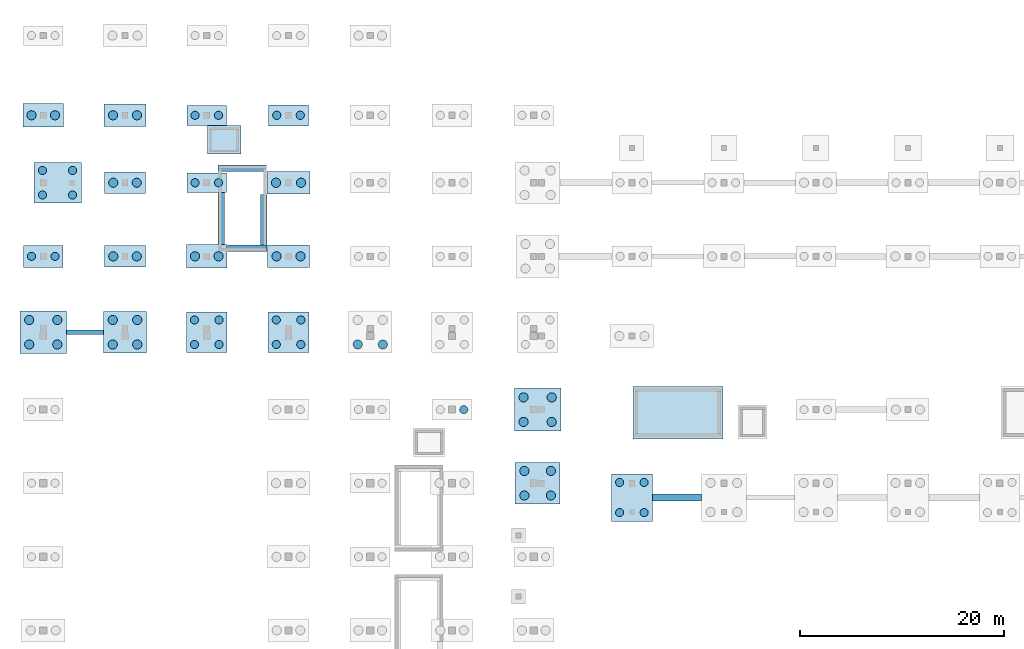
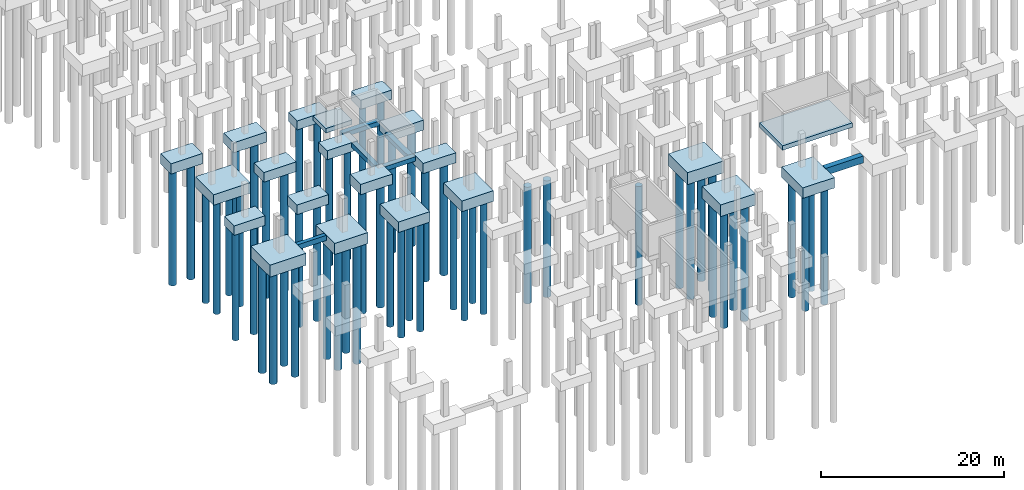
# One storey, part 2 of 36: 57 piles, 27 footings.
"""IFC4 building model written with IfcOpenShell, lengths in metres."""

from ifc_helpers import new_model, si_unit, direction, frame, origin, origin_2d, place, context, subcontext, project, spatial, rectangle, circle, extrude, material, layer, layer_set, material_profile, profile_set, type_object, element, save


model = new_model("IFC4")

# Units and contexts
model_context = context("Model", 3, precision=1e-05, world=origin(), true_north=direction((0.0, 1.0)))
body_context = subcontext(model_context, "Body", "Model", "MODEL_VIEW")
ifc_project = project(units=[si_unit("LENGTHUNIT", "METRE"), si_unit("AREAUNIT", "SQUARE_METRE"), si_unit("VOLUMEUNIT", "CUBIC_METRE"), si_unit("PLANEANGLEUNIT", "RADIAN"), si_unit("MASSUNIT", "GRAM", prefix="KILO")], contexts=[model_context])

# Site, building, storey
site_placement = place(None, origin())
site = spatial("IfcSite", under=ifc_project, at=site_placement, CompositionType="ELEMENT")
building_placement = place(site_placement, origin())
building = spatial("IfcBuilding", under=site, at=building_placement, Name="Chiffa Square Polytechnic", CompositionType="ELEMENT")
storey_placement = place(building_placement, frame((0.0, 0.0, -4.5)))
storey = spatial("IfcBuildingStorey", under=building, at=storey_placement, Name="B1", CompositionType="ELEMENT", Elevation=-4.5)

# Footings
ifc_material = material(Name="Concrete C35/45", Category="concrete")
ifc_layer_1 = layer(ifc_material, 0.68505859375, Name="Concrete C35/45")
ifc_layer_set_1 = layer_set([ifc_layer_1], Name="Concrete C35/45")
footing_type_1 = type_object("IfcFootingType", Name="FTG-BEAM-480X685", PredefinedType="FOOTING_BEAM", material=ifc_layer_set_1)
footing_1_placement = place(storey_placement, frame((4.0869140625, 36.375, -0.685546875), z_axis=(0.0, 0.0, 1.0), x_axis=(1.0, 0.0, 0.0)))
element("IfcFooting", 1, at=footing_1_placement, inside=storey, type_object=footing_type_1, Name="Footing tie beam FB-B1-050", PredefinedType="FOOTING_BEAM", context=body_context, shape_type="SweptSolid", body=[
    extrude(rectangle(XDim=3.614990234375, YDim=0.47998046875, at=origin_2d()), origin(), (0.0, 0.0, 1.0), 0.68505859375),
])
ifc_layer_2 = layer(ifc_material, 0.93505859375, Name="Concrete C35/45")
ifc_layer_set_2 = layer_set([ifc_layer_2], Name="Concrete C35/45")
footing_type_2 = type_object("IfcFootingType", Name="FTG-BEAM-680X935", PredefinedType="FOOTING_BEAM", material=ifc_layer_set_2)
footing_2_placement = place(storey_placement, frame((62.0, 20.199951171875, -0.935546875), z_axis=(0.0, 0.0, 1.0), x_axis=(1.0, 0.0, 0.0)))
element("IfcFooting", 2, at=footing_2_placement, inside=storey, type_object=footing_type_2, Name="Footing tie beam FB-B1-012", PredefinedType="FOOTING_BEAM", context=body_context, shape_type="SweptSolid", body=[
    extrude(rectangle(XDim=4.7900390625, YDim=0.679931640625, at=origin_2d()), origin(), (0.0, 0.0, 1.0), 0.93505859375),
])
ifc_layer_3 = layer(ifc_material, 0.60009765625, Name="Concrete C35/45")
ifc_layer_set_3 = layer_set([ifc_layer_3], Name="Concrete C35/45")
footing_type_3 = type_object("IfcFootingType", Name="FTG-PAD-3300X2800X600", PredefinedType="PAD_FOOTING", material=ifc_layer_set_3)
footing_3_placement = place(storey_placement, frame((17.699951171875, 55.199951171875, -0.60009765625), z_axis=(0.0, 0.0, 1.0), x_axis=(1.0, 0.0, 0.0)))
element("IfcFooting", 3, at=footing_3_placement, inside=storey, type_object=footing_type_3, Name="Lift pit pad footing PFG-PIT-LP-V6A-1", PredefinedType="PAD_FOOTING", context=body_context, shape_type="SweptSolid", body=[
    extrude(rectangle(XDim=3.300048828125, YDim=2.800048828125, at=origin_2d()), origin(), (0.0, 0.0, 1.0), 0.60009765625),
])
ifc_layer_4 = layer(ifc_material, 0.60009765625, Name="Concrete C35/45")
ifc_layer_set_4 = layer_set([ifc_layer_4], Name="Concrete C35/45")
footing_type_4 = type_object("IfcFootingType", Name="FTG-PAD-3860X620X600", PredefinedType="PAD_FOOTING", material=ifc_layer_set_4)
footing_4_placement = place(storey_placement, frame((19.949951171875, 44.580078125, -0.60009765625), z_axis=(0.0, 0.0, 1.0), x_axis=(1.0, 0.0, 0.0)))
element("IfcFooting", 4, at=footing_4_placement, inside=storey, type_object=footing_type_4, Name="Core pad footing PFG-CORE-CORE-V6A-S1", PredefinedType="PAD_FOOTING", context=body_context, shape_type="SweptSolid", body=[
    extrude(rectangle(XDim=3.860107421875, YDim=0.6201171875, at=origin_2d()), origin(), (0.0, 0.0, 1.0), 0.60009765625),
])
ifc_layer_5 = layer(ifc_material, 0.60009765625, Name="Concrete C35/45")
ifc_layer_set_5 = layer_set([ifc_layer_5], Name="Concrete C35/45")
footing_type_5 = type_object("IfcFootingType", Name="FTG-PAD-4735X620X600", PredefinedType="PAD_FOOTING", material=ifc_layer_set_5)
footing_5_placement = place(storey_placement, frame((19.488037109375, 52.419921875, -0.60009765625), z_axis=(0.0, 0.0, 1.0), x_axis=(1.0, 0.0, 0.0)))
element("IfcFooting", 5, at=footing_5_placement, inside=storey, type_object=footing_type_5, Name="Core pad footing PFG-CORE-CORE-V6A-N1", PredefinedType="PAD_FOOTING", context=body_context, shape_type="SweptSolid", body=[
    extrude(rectangle(XDim=4.735107421875, YDim=0.6201171875, at=origin_2d()), origin(), (0.0, 0.0, 1.0), 0.60009765625),
])
ifc_layer_6 = layer(ifc_material, 0.60009765625, Name="Concrete C35/45")
ifc_layer_set_6 = layer_set([ifc_layer_6], Name="Concrete C35/45")
footing_type_6 = type_object("IfcFootingType", Name="FTG-PAD-620X4945X600", PredefinedType="PAD_FOOTING", material=ifc_layer_set_6)
footing_6_placement = place(storey_placement, frame((21.570068359375, 47.382080078125, -0.60009765625), z_axis=(0.0, 0.0, 1.0), x_axis=(1.0, 0.0, 0.0)))
element("IfcFooting", 6, at=footing_6_placement, inside=storey, type_object=footing_type_6, Name="Core pad footing PFG-CORE-CORE-V6A-E1", PredefinedType="PAD_FOOTING", context=body_context, shape_type="SweptSolid", body=[
    extrude(rectangle(XDim=0.6201171875, YDim=4.945068359375, at=origin_2d()), origin(), (0.0, 0.0, 1.0), 0.60009765625),
])
ifc_layer_7 = layer(ifc_material, 0.60009765625, Name="Concrete C35/45")
ifc_layer_set_7 = layer_set([ifc_layer_7], Name="Concrete C35/45")
footing_type_7 = type_object("IfcFootingType", Name="FTG-PAD-620X5060X600", PredefinedType="PAD_FOOTING", material=ifc_layer_set_7)
footing_7_placement = place(storey_placement, frame((17.429931640625, 47.5, -0.60009765625), z_axis=(0.0, 0.0, 1.0), x_axis=(1.0, 0.0, 0.0)))
element("IfcFooting", 7, at=footing_7_placement, inside=storey, type_object=footing_type_7, Name="Core pad footing PFG-CORE-CORE-V6A-W1", PredefinedType="PAD_FOOTING", context=body_context, shape_type="SweptSolid", body=[
    extrude(rectangle(XDim=0.6201171875, YDim=5.06005859375, at=origin_2d()), origin(), (0.0, 0.0, 1.0), 0.60009765625),
])
ifc_layer_8 = layer(ifc_material, 0.60009765625, Name="Concrete C35/45")
ifc_layer_set_8 = layer_set([ifc_layer_8], Name="Concrete C35/45")
footing_type_8 = type_object("IfcFootingType", Name="FTG-PAD-8800X5100X600", PredefinedType="PAD_FOOTING", material=ifc_layer_set_8)
footing_8_placement = place(storey_placement, frame((62.10009765625, 28.5, -0.60009765625), z_axis=(0.0, 0.0, 1.0), x_axis=(1.0, 0.0, 0.0)))
element("IfcFooting", 8, at=footing_8_placement, inside=storey, type_object=footing_type_8, Name="Core pad footing PFG-CORE-CORE-V4A-1", PredefinedType="PAD_FOOTING", context=body_context, shape_type="SweptSolid", body=[
    extrude(rectangle(XDim=8.800048828125, YDim=5.10009765625, at=origin_2d()), origin(), (0.0, 0.0, 1.0), 0.60009765625),
])
ifc_layer_9 = layer(ifc_material, 1.199951171875, Name="Concrete C35/45")
ifc_layer_set_9 = layer_set([ifc_layer_9], Name="Concrete C35/45")
footing_type_9 = type_object("IfcFootingType", Name="FTG-PC-3900X1900X1200", PredefinedType="PILE_CAP", material=ifc_layer_set_9)
footing_9_placement = place(storey_placement, frame((16.0, 51.0, -1.2001953125), z_axis=(0.0, 0.0, 1.0), x_axis=(1.0, 0.0, 0.0)))
element("IfcFooting", 9, at=footing_9_placement, inside=storey, type_object=footing_type_9, Name="Pile cap PC-B1-200", PredefinedType="PILE_CAP", context=body_context, shape_type="SweptSolid", body=[
    extrude(rectangle(XDim=3.89990234375, YDim=1.89990234375, at=origin_2d()), origin(), (0.0, 0.0, 1.0), 1.199951171875),
])
ifc_layer_10 = layer(ifc_material, 1.199951171875, Name="Concrete C35/45")
ifc_layer_set_10 = layer_set([ifc_layer_10], Name="Concrete C35/45")
footing_type_10 = type_object("IfcFootingType", Name="FTG-PC-3900X1950X1200", PredefinedType="PILE_CAP", material=ifc_layer_set_10)
footing_10_placement = place(storey_placement, frame((16.0, 57.60009765625, -1.2001953125), z_axis=(0.0, 0.0, 1.0), x_axis=(1.0, 0.0, 0.0)))
element("IfcFooting", 10, at=footing_10_placement, inside=storey, type_object=footing_type_10, Name="Pile cap PC-B1-201", PredefinedType="PILE_CAP", context=body_context, shape_type="SweptSolid", body=[
    extrude(rectangle(XDim=3.89990234375, YDim=1.949951171875, at=origin_2d()), origin(), (0.0, 0.0, 1.0), 1.199951171875),
])
ifc_layer_11 = layer(ifc_material, 1.219970703125, Name="Concrete C35/45")
ifc_layer_set_11 = layer_set([ifc_layer_11], Name="Concrete C35/45")
footing_type_11 = type_object("IfcFootingType", Name="FTG-PC-3900X2050X1220", PredefinedType="PILE_CAP", material=ifc_layer_set_11)
footing_11_placement = place(storey_placement, frame((24.0, 57.60009765625, -1.22021484375), z_axis=(0.0, 0.0, 1.0), x_axis=(1.0, 0.0, 0.0)))
element("IfcFooting", 11, at=footing_11_placement, inside=storey, type_object=footing_type_11, Name="Pile cap PC-B1-208", PredefinedType="PILE_CAP", context=body_context, shape_type="SweptSolid", body=[
    extrude(rectangle(XDim=3.89990234375, YDim=2.050048828125, at=origin_2d()), origin(), (0.0, 0.0, 1.0), 1.219970703125),
])
ifc_layer_12 = layer(ifc_material, 1.280029296875, Name="Concrete C35/45")
ifc_layer_set_12 = layer_set([ifc_layer_12], Name="Concrete C35/45")
footing_type_12 = type_object("IfcFootingType", Name="FTG-PC-3900X2150X1280", PredefinedType="PILE_CAP", material=ifc_layer_set_12)
footing_12_placement = place(storey_placement, frame((0.0, 43.800048828125, -1.27978515625), z_axis=(0.0, 0.0, 1.0), x_axis=(1.0, 0.0, 0.0)))
element("IfcFooting", 12, at=footing_12_placement, inside=storey, type_object=footing_type_12, Name="Pile cap PC-B1-185", PredefinedType="PILE_CAP", context=body_context, shape_type="SweptSolid", body=[
    extrude(rectangle(XDim=3.89990234375, YDim=2.14990234375, at=origin_2d()), origin(), (0.0, 0.0, 1.0), 1.280029296875),
])
ifc_layer_13 = layer(ifc_material, 1.300048828125, Name="Concrete C35/45")
ifc_layer_set_13 = layer_set([ifc_layer_13], Name="Concrete C35/45")
footing_type_13 = type_object("IfcFootingType", Name="FTG-PC-4000X2100X1300", PredefinedType="PILE_CAP", material=ifc_layer_set_13)
footing_13_placement = place(storey_placement, frame((8.0, 43.800048828125, -1.2998046875), z_axis=(0.0, 0.0, 1.0), x_axis=(1.0, 0.0, 0.0)))
element("IfcFooting", 13, at=footing_13_placement, inside=storey, type_object=footing_type_13, Name="Pile cap PC-B1-192", PredefinedType="PILE_CAP", context=body_context, shape_type="SweptSolid", body=[
    extrude(rectangle(XDim=4.0, YDim=2.10009765625, at=origin_2d()), origin(), (0.0, 0.0, 1.0), 1.300048828125),
])
ifc_layer_14 = layer(ifc_material, 1.3798828125, Name="Concrete C35/45")
ifc_layer_set_14 = layer_set([ifc_layer_14], Name="Concrete C35/45")
footing_type_14 = type_object("IfcFootingType", Name="FTG-PC-4000X2300X1380", PredefinedType="PILE_CAP", material=ifc_layer_set_14)
for number, where, z_axis, x_axis, name in (
    (14, (0.0, 57.60009765625, -1.3798828125), (0.0, 0.0, 1.0), (1.0, 0.0, 0.0), "Pile cap PC-B1-187"),
    (15, (16.0, 43.800048828125, -1.3798828125), (0.0, 0.0, 1.0), (1.0, 0.0, 0.0), "Pile cap PC-B1-199"),
):
    element("IfcFooting", number, at=place(storey_placement, frame(where, z_axis=z_axis, x_axis=x_axis)), inside=storey, type_object=footing_type_14, Name=name, PredefinedType="PILE_CAP", context=body_context, shape_type="SweptSolid", body=[
        extrude(rectangle(XDim=4.0, YDim=2.300048828125, at=origin_2d()), origin(), (0.0, 0.0, 1.0), 1.3798828125),
    ])
ifc_layer_15 = layer(ifc_material, 1.39990234375, Name="Concrete C35/45")
ifc_layer_set_15 = layer_set([ifc_layer_15], Name="Concrete C35/45")
footing_type_15 = type_object("IfcFootingType", Name="FTG-PC-4000X4000X1400", PredefinedType="PILE_CAP", material=ifc_layer_set_15)
footing_14_placement = place(storey_placement, frame((16.0, 36.375, -1.39990234375), z_axis=(0.0, 0.0, 1.0), x_axis=(1.0, 0.0, 0.0)))
element("IfcFooting", 16, at=footing_14_placement, inside=storey, type_object=footing_type_15, Name="Pile cap PC-B1-060", PredefinedType="PILE_CAP", context=body_context, shape_type="SweptSolid", body=[
    extrude(rectangle(XDim=4.0, YDim=4.0, at=origin_2d()), origin(), (0.0, 0.0, 1.0), 1.39990234375),
])
ifc_layer_16 = layer(ifc_material, 1.419921875, Name="Concrete C35/45")
ifc_layer_set_16 = layer_set([ifc_layer_16], Name="Concrete C35/45")
footing_type_16 = type_object("IfcFootingType", Name="FTG-PC-4000X4000X1420", PredefinedType="PILE_CAP", material=ifc_layer_set_16)
footing_15_placement = place(storey_placement, frame((24.0, 36.375, -1.419921875), z_axis=(0.0, 0.0, 1.0), x_axis=(1.0, 0.0, 0.0)))
element("IfcFooting", 17, at=footing_15_placement, inside=storey, type_object=footing_type_16, Name="Pile cap PC-B1-066", PredefinedType="PILE_CAP", context=body_context, shape_type="SweptSolid", body=[
    extrude(rectangle(XDim=4.0, YDim=4.0, at=origin_2d()), origin(), (0.0, 0.0, 1.0), 1.419921875),
])
ifc_layer_17 = layer(ifc_material, 1.39990234375, Name="Concrete C35/45")
ifc_layer_set_17 = layer_set([ifc_layer_17], Name="Concrete C35/45")
footing_type_17 = type_object("IfcFootingType", Name="FTG-PC-4000X4650X1400", PredefinedType="PILE_CAP", material=ifc_layer_set_17)
footing_16_placement = place(storey_placement, frame((57.60009765625, 20.199951171875, -1.39990234375), z_axis=(0.0, 0.0, 1.0), x_axis=(1.0, 0.0, 0.0)))
element("IfcFooting", 18, at=footing_16_placement, inside=storey, type_object=footing_type_17, Name="Pile cap PC-B1-087", PredefinedType="PILE_CAP", context=body_context, shape_type="SweptSolid", body=[
    extrude(rectangle(XDim=4.0, YDim=4.64990234375, at=origin_2d()), origin(), (0.0, 0.0, 1.0), 1.39990234375),
])
ifc_layer_18 = layer(ifc_material, 1.300048828125, Name="Concrete C35/45")
ifc_layer_set_18 = layer_set([ifc_layer_18], Name="Concrete C35/45")
footing_type_18 = type_object("IfcFootingType", Name="FTG-PC-4050X2150X1300", PredefinedType="PILE_CAP", material=ifc_layer_set_18)
footing_17_placement = place(storey_placement, frame((8.0, 51.0, -1.2998046875), z_axis=(0.0, 0.0, 1.0), x_axis=(1.0, 0.0, 0.0)))
element("IfcFooting", 19, at=footing_17_placement, inside=storey, type_object=footing_type_18, Name="Pile cap PC-B1-193", PredefinedType="PILE_CAP", context=body_context, shape_type="SweptSolid", body=[
    extrude(rectangle(XDim=4.050048828125, YDim=2.14990234375, at=origin_2d()), origin(), (0.0, 0.0, 1.0), 1.300048828125),
])
ifc_layer_19 = layer(ifc_material, 1.35009765625, Name="Concrete C35/45")
ifc_layer_set_19 = layer_set([ifc_layer_19], Name="Concrete C35/45")
footing_type_19 = type_object("IfcFootingType", Name="FTG-PC-4150X2200X1350", PredefinedType="PILE_CAP", material=ifc_layer_set_19)
for number, where, z_axis, x_axis, name in (
    (20, (8.0, 57.60009765625, -1.35009765625), (0.0, 0.0, 1.0), (1.0, 0.0, 0.0), "Pile cap PC-B1-194"),
    (21, (24.0, 43.800048828125, -1.35009765625), (0.0, 0.0, 1.0), (1.0, 0.0, 0.0), "Pile cap PC-B1-206"),
):
    element("IfcFooting", number, at=place(storey_placement, frame(where, z_axis=z_axis, x_axis=x_axis)), inside=storey, type_object=footing_type_19, Name=name, PredefinedType="PILE_CAP", context=body_context, shape_type="SweptSolid", body=[
        extrude(rectangle(XDim=4.14990234375, YDim=2.199951171875, at=origin_2d()), origin(), (0.0, 0.0, 1.0), 1.35009765625),
    ])
ifc_layer_20 = layer(ifc_material, 1.47998046875, Name="Concrete C35/45")
ifc_layer_set_20 = layer_set([ifc_layer_20], Name="Concrete C35/45")
footing_type_20 = type_object("IfcFootingType", Name="FTG-PC-4200X4100X1480", PredefinedType="PILE_CAP", material=ifc_layer_set_20)
footing_18_placement = place(storey_placement, frame((8.0, 36.375, -1.47998046875), z_axis=(0.0, 0.0, 1.0), x_axis=(1.0, 0.0, 0.0)))
element("IfcFooting", 22, at=footing_18_placement, inside=storey, type_object=footing_type_20, Name="Pile cap PC-B1-058", PredefinedType="PILE_CAP", context=body_context, shape_type="SweptSolid", body=[
    extrude(rectangle(XDim=4.199951171875, YDim=4.10009765625, at=origin_2d()), origin(), (0.0, 0.0, 1.0), 1.47998046875),
])
ifc_layer_21 = layer(ifc_material, 1.35009765625, Name="Concrete C35/45")
ifc_layer_set_21 = layer_set([ifc_layer_21], Name="Concrete C35/45")
footing_type_21 = type_object("IfcFootingType", Name="FTG-PC-4250X2250X1350", PredefinedType="PILE_CAP", material=ifc_layer_set_21)
footing_19_placement = place(storey_placement, frame((24.0, 51.0, -1.35009765625), z_axis=(0.0, 0.0, 1.0), x_axis=(1.0, 0.0, 0.0)))
element("IfcFooting", 23, at=footing_19_placement, inside=storey, type_object=footing_type_21, Name="Pile cap PC-B1-207", PredefinedType="PILE_CAP", context=body_context, shape_type="SweptSolid", body=[
    extrude(rectangle(XDim=4.25, YDim=2.25, at=origin_2d()), origin(), (0.0, 0.0, 1.0), 1.35009765625),
])
ifc_layer_22 = layer(ifc_material, 1.550048828125, Name="Concrete C35/45")
ifc_layer_set_22 = layer_set([ifc_layer_22], Name="Concrete C35/45")
footing_type_22 = type_object("IfcFootingType", Name="FTG-PC-4400X4100X1550", PredefinedType="PILE_CAP", material=ifc_layer_set_22)
footing_20_placement = place(storey_placement, frame((48.375, 21.60009765625, -1.5498046875), z_axis=(0.0, 0.0, 1.0), x_axis=(1.0, 0.0, 0.0)))
element("IfcFooting", 24, at=footing_20_placement, inside=storey, type_object=footing_type_22, Name="Pile cap PC-B1-082", PredefinedType="PILE_CAP", context=body_context, shape_type="SweptSolid", body=[
    extrude(rectangle(XDim=4.39990234375, YDim=4.10009765625, at=origin_2d()), origin(), (0.0, 0.0, 1.0), 1.550048828125),
])
ifc_layer_23 = layer(ifc_material, 1.60009765625, Name="Concrete C35/45")
ifc_layer_set_23 = layer_set([ifc_layer_23], Name="Concrete C35/45")
footing_type_23 = type_object("IfcFootingType", Name="FTG-PC-4550X4200X1600", PredefinedType="PILE_CAP", material=ifc_layer_set_23)
for number, where, z_axis, x_axis, name in (
    (25, (0.0, 36.375, -1.60009765625), (0.0, 0.0, 1.0), (1.0, 0.0, 0.0), "Pile cap PC-B1-056"),
    (26, (48.375, 28.800048828125, -1.60009765625), (0.0, 0.0, 1.0), (1.0, 0.0, 0.0), "Pile cap PC-B1-083"),
):
    element("IfcFooting", number, at=place(storey_placement, frame(where, z_axis=z_axis, x_axis=x_axis)), inside=storey, type_object=footing_type_23, Name=name, PredefinedType="PILE_CAP", context=body_context, shape_type="SweptSolid", body=[
        extrude(rectangle(XDim=4.550048828125, YDim=4.199951171875, at=origin_2d()), origin(), (0.0, 0.0, 1.0), 1.60009765625),
    ])
ifc_layer_24 = layer(ifc_material, 1.39990234375, Name="Concrete C35/45")
ifc_layer_set_24 = layer_set([ifc_layer_24], Name="Concrete C35/45")
footing_type_24 = type_object("IfcFootingType", Name="FTG-PC-4650X4000X1400", PredefinedType="PILE_CAP", material=ifc_layer_set_24)
footing_21_placement = place(storey_placement, frame((1.39990234375, 51.0, -1.39990234375), z_axis=(0.0, 0.0, 1.0), x_axis=(1.0, 0.0, 0.0)))
element("IfcFooting", 27, at=footing_21_placement, inside=storey, type_object=footing_type_24, Name="Pile cap PC-B1-186", PredefinedType="PILE_CAP", context=body_context, shape_type="SweptSolid", body=[
    extrude(rectangle(XDim=4.64990234375, YDim=4.0, at=origin_2d()), origin(), (0.0, 0.0, 1.0), 1.39990234375),
])

# Piles
ifc_material_profile_1 = material_profile(ifc_material, circle(Radius=0.39990234375, at=origin_2d()), Name="PILE D800")
ifc_profile_set_1 = profile_set([ifc_material_profile_1], Name="Concrete C35/45")
pile_type_1 = type_object("IfcPileType", Name="PILE-D800", PredefinedType="BORED", material=ifc_profile_set_1)
for number, where, z_axis, x_axis, name in (
    (28, (14.800048828125, 35.175048828125, -1.300048828125), (0.0, 0.0, -1.0), (1.0, 0.0, 0.0), "Bored pile PL-B1-0148-0352-1"),
    (29, (17.199951171875, 35.175048828125, -1.300048828125), (0.0, 0.0, -1.0), (1.0, 0.0, 0.0), "Bored pile PL-B1-0172-0352-2"),
    (30, (14.800048828125, 37.574951171875, -1.300048828125), (0.0, 0.0, -1.0), (1.0, 0.0, 0.0), "Bored pile PL-B1-0148-0376-3"),
    (31, (17.199951171875, 37.574951171875, -1.300048828125), (0.0, 0.0, -1.0), (1.0, 0.0, 0.0), "Bored pile PL-B1-0172-0376-4"),
):
    element("IfcPile", number, at=place(storey_placement, frame(where, z_axis=z_axis, x_axis=x_axis)), inside=storey, type_object=pile_type_1, Name=name, PredefinedType="BORED", context=body_context, shape_type="SweptSolid", body=[
        extrude(circle(Radius=0.39990234375, at=origin_2d()), origin(), (0.0, 0.0, 1.0), 14.699951171875),
    ])
for number, where, z_axis, x_axis, name in (
    (32, (22.800048828125, 35.175048828125, -1.320068359375), (0.0, 0.0, -1.0), (1.0, 0.0, 0.0), "Bored pile PL-B1-0228-0352-1"),
    (33, (25.199951171875, 35.175048828125, -1.320068359375), (0.0, 0.0, -1.0), (1.0, 0.0, 0.0), "Bored pile PL-B1-0252-0352-2"),
    (34, (22.800048828125, 37.574951171875, -1.320068359375), (0.0, 0.0, -1.0), (1.0, 0.0, 0.0), "Bored pile PL-B1-0228-0376-3"),
    (35, (25.199951171875, 37.574951171875, -1.320068359375), (0.0, 0.0, -1.0), (1.0, 0.0, 0.0), "Bored pile PL-B1-0252-0376-4"),
):
    element("IfcPile", number, at=place(storey_placement, frame(where, z_axis=z_axis, x_axis=x_axis)), inside=storey, type_object=pile_type_1, Name=name, PredefinedType="BORED", context=body_context, shape_type="SweptSolid", body=[
        extrude(circle(Radius=0.39990234375, at=origin_2d()), origin(), (0.0, 0.0, 1.0), 15.179931640625),
    ])
pile_placement = place(storey_placement, frame((41.14990234375, 28.800048828125, -1.1201171875), z_axis=(0.0, 0.0, -1.0), x_axis=(1.0, 0.0, 0.0)))
element("IfcPile", 36, at=pile_placement, inside=storey, type_object=pile_type_1, Name="Bored pile PL-B1-0412-0288-2", PredefinedType="BORED", context=body_context, shape_type="SweptSolid", body=[
    extrude(circle(Radius=0.39990234375, at=origin_2d()), origin(), (0.0, 0.0, 1.0), 15.8798828125),
])
for number, where, z_axis, x_axis, name in (
    (37, (56.39990234375, 18.72509765625, -1.300048828125), (0.0, 0.0, -1.0), (1.0, 0.0, 0.0), "Bored pile PL-B1-0564-0187-1"),
    (38, (58.800048828125, 18.72509765625, -1.300048828125), (0.0, 0.0, -1.0), (1.0, 0.0, 0.0), "Bored pile PL-B1-0588-0187-2"),
    (39, (56.39990234375, 21.675048828125, -1.300048828125), (0.0, 0.0, -1.0), (1.0, 0.0, 0.0), "Bored pile PL-B1-0564-0217-3"),
    (40, (58.800048828125, 21.675048828125, -1.300048828125), (0.0, 0.0, -1.0), (1.0, 0.0, 0.0), "Bored pile PL-B1-0588-0217-4"),
):
    element("IfcPile", number, at=place(storey_placement, frame(where, z_axis=z_axis, x_axis=x_axis)), inside=storey, type_object=pile_type_1, Name=name, PredefinedType="BORED", context=body_context, shape_type="SweptSolid", body=[
        extrude(circle(Radius=0.39990234375, at=origin_2d()), origin(), (0.0, 0.0, 1.0), 15.699951171875),
    ])
for number, where, z_axis, x_axis, name in (
    (41, (-1.14990234375, 43.800048828125, -1.179931640625), (0.0, 0.0, -1.0), (1.0, 0.0, 0.0), "Bored pile PL-B1--012-0438-1"),
    (42, (1.14990234375, 43.800048828125, -1.179931640625), (0.0, 0.0, -1.0), (1.0, 0.0, 0.0), "Bored pile PL-B1-0012-0438-2"),
):
    element("IfcPile", number, at=place(storey_placement, frame(where, z_axis=z_axis, x_axis=x_axis)), inside=storey, type_object=pile_type_1, Name=name, PredefinedType="BORED", context=body_context, shape_type="SweptSolid", body=[
        extrude(circle(Radius=0.39990234375, at=origin_2d()), origin(), (0.0, 0.0, 1.0), 14.820068359375),
    ])
for number, where, z_axis, x_axis, name in (
    (43, (-0.074951171875, 49.800048828125, -1.300048828125), (0.0, 0.0, -1.0), (1.0, 0.0, 0.0), "Bored pile PL-B1--001-0498-1"),
    (44, (2.875, 49.800048828125, -1.300048828125), (0.0, 0.0, -1.0), (1.0, 0.0, 0.0), "Bored pile PL-B1-0029-0498-2"),
    (45, (-0.074951171875, 52.199951171875, -1.300048828125), (0.0, 0.0, -1.0), (1.0, 0.0, 0.0), "Bored pile PL-B1--001-0522-3"),
    (46, (2.875, 52.199951171875, -1.300048828125), (0.0, 0.0, -1.0), (1.0, 0.0, 0.0), "Bored pile PL-B1-0029-0522-4"),
):
    element("IfcPile", number, at=place(storey_placement, frame(where, z_axis=z_axis, x_axis=x_axis)), inside=storey, type_object=pile_type_1, Name=name, PredefinedType="BORED", context=body_context, shape_type="SweptSolid", body=[
        extrude(circle(Radius=0.39990234375, at=origin_2d()), origin(), (0.0, 0.0, 1.0), 15.199951171875),
    ])
for number, where, z_axis, x_axis, name in (
    (47, (14.85009765625, 51.0, -1.10009765625), (0.0, 0.0, -1.0), (1.0, 0.0, 0.0), "Bored pile PL-B1-0148-0510-1"),
    (48, (17.14990234375, 51.0, -1.10009765625), (0.0, 0.0, -1.0), (1.0, 0.0, 0.0), "Bored pile PL-B1-0172-0510-2"),
):
    element("IfcPile", number, at=place(storey_placement, frame(where, z_axis=z_axis, x_axis=x_axis)), inside=storey, type_object=pile_type_1, Name=name, PredefinedType="BORED", context=body_context, shape_type="SweptSolid", body=[
        extrude(circle(Radius=0.39990234375, at=origin_2d()), origin(), (0.0, 0.0, 1.0), 14.89990234375),
    ])
for number, where, z_axis, x_axis, name in (
    (49, (14.85009765625, 57.60009765625, -1.10009765625), (0.0, 0.0, -1.0), (1.0, 0.0, 0.0), "Bored pile PL-B1-0148-0576-1"),
    (50, (17.14990234375, 57.60009765625, -1.10009765625), (0.0, 0.0, -1.0), (1.0, 0.0, 0.0), "Bored pile PL-B1-0172-0576-2"),
):
    element("IfcPile", number, at=place(storey_placement, frame(where, z_axis=z_axis, x_axis=x_axis)), inside=storey, type_object=pile_type_1, Name=name, PredefinedType="BORED", context=body_context, shape_type="SweptSolid", body=[
        extrude(circle(Radius=0.39990234375, at=origin_2d()), origin(), (0.0, 0.0, 1.0), 15.39990234375),
    ])
for number, where, z_axis, x_axis, name in (
    (51, (22.85009765625, 57.60009765625, -1.1201171875), (0.0, 0.0, -1.0), (1.0, 0.0, 0.0), "Bored pile PL-B1-0228-0576-1"),
    (52, (25.14990234375, 57.60009765625, -1.1201171875), (0.0, 0.0, -1.0), (1.0, 0.0, 0.0), "Bored pile PL-B1-0252-0576-2"),
):
    element("IfcPile", number, at=place(storey_placement, frame(where, z_axis=z_axis, x_axis=x_axis)), inside=storey, type_object=pile_type_1, Name=name, PredefinedType="BORED", context=body_context, shape_type="SweptSolid", body=[
        extrude(circle(Radius=0.39990234375, at=origin_2d()), origin(), (0.0, 0.0, 1.0), 16.3798828125),
    ])
ifc_material_profile_2 = material_profile(ifc_material, circle(Radius=0.449951171875, at=origin_2d()), Name="PILE D900")
ifc_profile_set_2 = profile_set([ifc_material_profile_2], Name="Concrete C35/45")
pile_type_2 = type_object("IfcPileType", Name="PILE-D900", PredefinedType="BORED", material=ifc_profile_set_2)
for number, where, z_axis, x_axis, name in (
    (53, (-1.375, 35.175048828125, -1.5), (0.0, 0.0, -1.0), (1.0, 0.0, 0.0), "Bored pile PL-B1--014-0352-1"),
    (54, (1.375, 35.175048828125, -1.5), (0.0, 0.0, -1.0), (1.0, 0.0, 0.0), "Bored pile PL-B1-0014-0352-2"),
    (55, (-1.375, 37.574951171875, -1.5), (0.0, 0.0, -1.0), (1.0, 0.0, 0.0), "Bored pile PL-B1--014-0376-3"),
    (56, (1.375, 37.574951171875, -1.5), (0.0, 0.0, -1.0), (1.0, 0.0, 0.0), "Bored pile PL-B1-0014-0376-4"),
):
    element("IfcPile", number, at=place(storey_placement, frame(where, z_axis=z_axis, x_axis=x_axis)), inside=storey, type_object=pile_type_2, Name=name, PredefinedType="BORED", context=body_context, shape_type="SweptSolid", body=[
        extrude(circle(Radius=0.449951171875, at=origin_2d()), origin(), (0.0, 0.0, 1.0), 15.0),
    ])
for number, where, z_axis, x_axis, name in (
    (57, (6.800048828125, 35.175048828125, -1.3798828125), (0.0, 0.0, -1.0), (1.0, 0.0, 0.0), "Bored pile PL-B1-0068-0352-1"),
    (58, (9.199951171875, 35.175048828125, -1.3798828125), (0.0, 0.0, -1.0), (1.0, 0.0, 0.0), "Bored pile PL-B1-0092-0352-2"),
    (59, (6.800048828125, 37.574951171875, -1.3798828125), (0.0, 0.0, -1.0), (1.0, 0.0, 0.0), "Bored pile PL-B1-0068-0376-3"),
    (60, (9.199951171875, 37.574951171875, -1.3798828125), (0.0, 0.0, -1.0), (1.0, 0.0, 0.0), "Bored pile PL-B1-0092-0376-4"),
):
    element("IfcPile", number, at=place(storey_placement, frame(where, z_axis=z_axis, x_axis=x_axis)), inside=storey, type_object=pile_type_2, Name=name, PredefinedType="BORED", context=body_context, shape_type="SweptSolid", body=[
        extrude(circle(Radius=0.449951171875, at=origin_2d()), origin(), (0.0, 0.0, 1.0), 16.1201171875),
    ])
for number, where, z_axis, x_axis, name in (
    (61, (30.77490234375, 35.175048828125, -1.39990234375), (0.0, 0.0, -1.0), (1.0, 0.0, 0.0), "Bored pile PL-B1-0308-0352-1"),
    (62, (33.22509765625, 35.175048828125, -1.39990234375), (0.0, 0.0, -1.0), (1.0, 0.0, 0.0), "Bored pile PL-B1-0332-0352-2"),
):
    element("IfcPile", number, at=place(storey_placement, frame(where, z_axis=z_axis, x_axis=x_axis)), inside=storey, type_object=pile_type_2, Name=name, PredefinedType="BORED", context=body_context, shape_type="SweptSolid", body=[
        extrude(circle(Radius=0.449951171875, at=origin_2d()), origin(), (0.0, 0.0, 1.0), 15.60009765625),
    ])
for number, where, z_axis, x_axis, name in (
    (63, (47.074951171875, 20.39990234375, -1.449951171875), (0.0, 0.0, -1.0), (1.0, 0.0, 0.0), "Bored pile PL-B1-0471-0204-1"),
    (64, (49.675048828125, 20.39990234375, -1.449951171875), (0.0, 0.0, -1.0), (1.0, 0.0, 0.0), "Bored pile PL-B1-0497-0204-2"),
    (65, (47.074951171875, 22.800048828125, -1.449951171875), (0.0, 0.0, -1.0), (1.0, 0.0, 0.0), "Bored pile PL-B1-0471-0228-3"),
    (66, (49.675048828125, 22.800048828125, -1.449951171875), (0.0, 0.0, -1.0), (1.0, 0.0, 0.0), "Bored pile PL-B1-0497-0228-4"),
):
    element("IfcPile", number, at=place(storey_placement, frame(where, z_axis=z_axis, x_axis=x_axis)), inside=storey, type_object=pile_type_2, Name=name, PredefinedType="BORED", context=body_context, shape_type="SweptSolid", body=[
        extrude(circle(Radius=0.449951171875, at=origin_2d()), origin(), (0.0, 0.0, 1.0), 15.550048828125),
    ])
for number, where, z_axis, x_axis, name in (
    (67, (47.0, 27.60009765625, -1.5), (0.0, 0.0, -1.0), (1.0, 0.0, 0.0), "Bored pile PL-B1-0470-0276-1"),
    (68, (49.75, 27.60009765625, -1.5), (0.0, 0.0, -1.0), (1.0, 0.0, 0.0), "Bored pile PL-B1-0498-0276-2"),
    (69, (47.0, 30.0, -1.5), (0.0, 0.0, -1.0), (1.0, 0.0, 0.0), "Bored pile PL-B1-0470-0300-3"),
    (70, (49.75, 30.0, -1.5), (0.0, 0.0, -1.0), (1.0, 0.0, 0.0), "Bored pile PL-B1-0498-0300-4"),
):
    element("IfcPile", number, at=place(storey_placement, frame(where, z_axis=z_axis, x_axis=x_axis)), inside=storey, type_object=pile_type_2, Name=name, PredefinedType="BORED", context=body_context, shape_type="SweptSolid", body=[
        extrude(circle(Radius=0.449951171875, at=origin_2d()), origin(), (0.0, 0.0, 1.0), 16.0),
    ])
for number, where, z_axis, x_axis, name in (
    (71, (-1.14990234375, 57.60009765625, -1.280029296875), (0.0, 0.0, -1.0), (1.0, 0.0, 0.0), "Bored pile PL-B1--012-0576-1"),
    (72, (1.14990234375, 57.60009765625, -1.280029296875), (0.0, 0.0, -1.0), (1.0, 0.0, 0.0), "Bored pile PL-B1-0012-0576-2"),
):
    element("IfcPile", number, at=place(storey_placement, frame(where, z_axis=z_axis, x_axis=x_axis)), inside=storey, type_object=pile_type_2, Name=name, PredefinedType="BORED", context=body_context, shape_type="SweptSolid", body=[
        extrude(circle(Radius=0.449951171875, at=origin_2d()), origin(), (0.0, 0.0, 1.0), 15.719970703125),
    ])
for number, where, z_axis, x_axis, name in (
    (73, (6.85009765625, 43.800048828125, -1.199951171875), (0.0, 0.0, -1.0), (1.0, 0.0, 0.0), "Bored pile PL-B1-0068-0438-1"),
    (74, (9.14990234375, 43.800048828125, -1.199951171875), (0.0, 0.0, -1.0), (1.0, 0.0, 0.0), "Bored pile PL-B1-0092-0438-2"),
):
    element("IfcPile", number, at=place(storey_placement, frame(where, z_axis=z_axis, x_axis=x_axis)), inside=storey, type_object=pile_type_2, Name=name, PredefinedType="BORED", context=body_context, shape_type="SweptSolid", body=[
        extrude(circle(Radius=0.449951171875, at=origin_2d()), origin(), (0.0, 0.0, 1.0), 15.800048828125),
    ])
for number, where, z_axis, x_axis, name in (
    (75, (6.85009765625, 51.0, -1.199951171875), (0.0, 0.0, -1.0), (1.0, 0.0, 0.0), "Bored pile PL-B1-0068-0510-1"),
    (76, (9.14990234375, 51.0, -1.199951171875), (0.0, 0.0, -1.0), (1.0, 0.0, 0.0), "Bored pile PL-B1-0092-0510-2"),
):
    element("IfcPile", number, at=place(storey_placement, frame(where, z_axis=z_axis, x_axis=x_axis)), inside=storey, type_object=pile_type_2, Name=name, PredefinedType="BORED", context=body_context, shape_type="SweptSolid", body=[
        extrude(circle(Radius=0.449951171875, at=origin_2d()), origin(), (0.0, 0.0, 1.0), 16.300048828125),
    ])
for number, where, z_axis, x_axis, name in (
    (77, (6.824951171875, 57.60009765625, -1.25), (0.0, 0.0, -1.0), (1.0, 0.0, 0.0), "Bored pile PL-B1-0068-0576-1"),
    (78, (9.175048828125, 57.60009765625, -1.25), (0.0, 0.0, -1.0), (1.0, 0.0, 0.0), "Bored pile PL-B1-0092-0576-2"),
):
    element("IfcPile", number, at=place(storey_placement, frame(where, z_axis=z_axis, x_axis=x_axis)), inside=storey, type_object=pile_type_2, Name=name, PredefinedType="BORED", context=body_context, shape_type="SweptSolid", body=[
        extrude(circle(Radius=0.449951171875, at=origin_2d()), origin(), (0.0, 0.0, 1.0), 16.75),
    ])
for number, where, z_axis, x_axis, name in (
    (79, (14.85009765625, 43.800048828125, -1.280029296875), (0.0, 0.0, -1.0), (1.0, 0.0, 0.0), "Bored pile PL-B1-0148-0438-1"),
    (80, (17.14990234375, 43.800048828125, -1.280029296875), (0.0, 0.0, -1.0), (1.0, 0.0, 0.0), "Bored pile PL-B1-0172-0438-2"),
):
    element("IfcPile", number, at=place(storey_placement, frame(where, z_axis=z_axis, x_axis=x_axis)), inside=storey, type_object=pile_type_2, Name=name, PredefinedType="BORED", context=body_context, shape_type="SweptSolid", body=[
        extrude(circle(Radius=0.449951171875, at=origin_2d()), origin(), (0.0, 0.0, 1.0), 16.719970703125),
    ])
for number, where, z_axis, x_axis, name in (
    (81, (22.824951171875, 43.800048828125, -1.25), (0.0, 0.0, -1.0), (1.0, 0.0, 0.0), "Bored pile PL-B1-0228-0438-1"),
    (82, (25.175048828125, 43.800048828125, -1.25), (0.0, 0.0, -1.0), (1.0, 0.0, 0.0), "Bored pile PL-B1-0252-0438-2"),
):
    element("IfcPile", number, at=place(storey_placement, frame(where, z_axis=z_axis, x_axis=x_axis)), inside=storey, type_object=pile_type_2, Name=name, PredefinedType="BORED", context=body_context, shape_type="SweptSolid", body=[
        extrude(circle(Radius=0.449951171875, at=origin_2d()), origin(), (0.0, 0.0, 1.0), 15.25),
    ])
for number, where, z_axis, x_axis, name in (
    (83, (22.77490234375, 51.0, -1.25), (0.0, 0.0, -1.0), (1.0, 0.0, 0.0), "Bored pile PL-B1-0228-0510-1"),
    (84, (25.22509765625, 51.0, -1.25), (0.0, 0.0, -1.0), (1.0, 0.0, 0.0), "Bored pile PL-B1-0252-0510-2"),
):
    element("IfcPile", number, at=place(storey_placement, frame(where, z_axis=z_axis, x_axis=x_axis)), inside=storey, type_object=pile_type_2, Name=name, PredefinedType="BORED", context=body_context, shape_type="SweptSolid", body=[
        extrude(circle(Radius=0.449951171875, at=origin_2d()), origin(), (0.0, 0.0, 1.0), 15.75),
    ])

save(model, "model.ifc")
